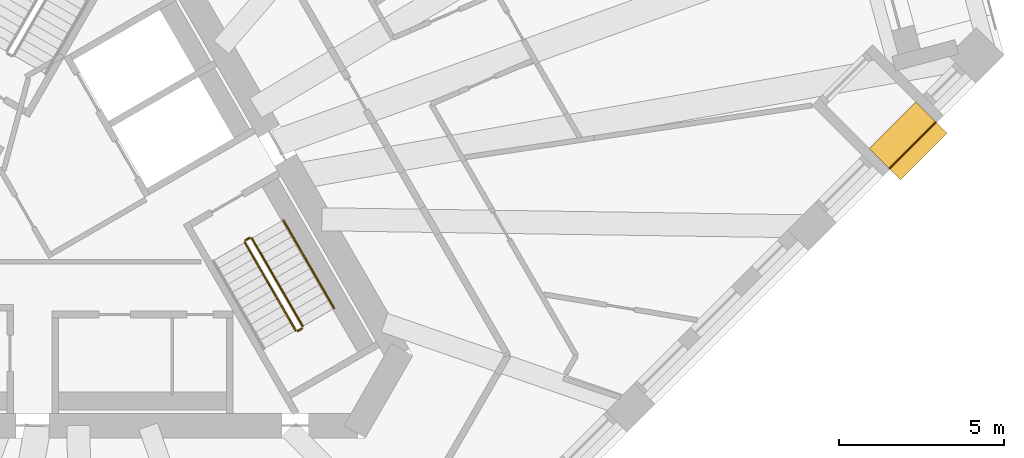
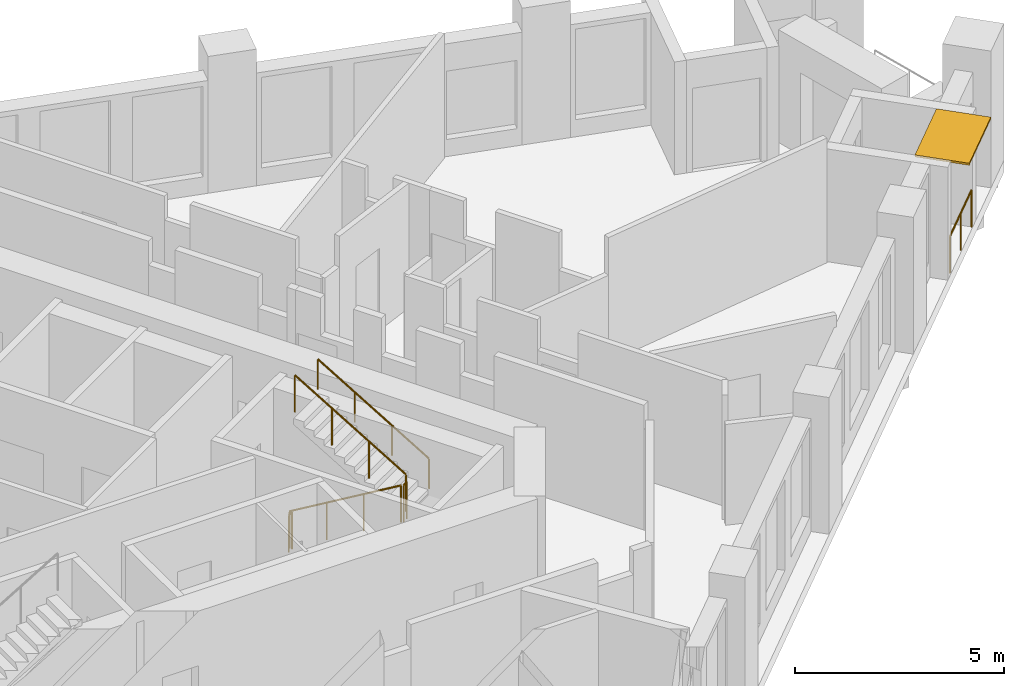
# One storey, part 11 of 13: 6 railings, 1 shading device.
"""IFC4 building model written with IfcOpenShell, lengths in metres."""

import ifcopenshell
import ifcopenshell.guid

model = None  # the IFC model being written
_history = None  # IfcOwnerHistory: only IFC2X3 demands one
_inside = {}  # id of a spatial element -> (the spatial element, [elements in it])
_under = {}  # id of a project, library or spatial element -> (it, [spatial elements below it])
_declared = {}  # id of a project -> (the project, [libraries it declares])
_typed = {}  # id of a type object -> (the type object, [elements of that type])
_made_of = {}  # id of a material, layer set ... -> (it, [elements and type objects made of it])


def new_model(schema):
    """Start an empty IFC model of exactly this schema.

    Asked for "IFC4X3", IfcOpenShell would pick the latest addendum, in which some entities
    have other attributes; the version numbers below select the first issue.
    IFC2X3 requires an IfcOwnerHistory on every rooted entity: one is made here for all.
    """
    global model, _history
    if schema == "IFC4X3":
        model = ifcopenshell.file(schema_version=(4, 3, 0, 0))
    else:
        model = ifcopenshell.file(schema=schema)
    _inside.clear()
    _under.clear()
    _declared.clear()
    _typed.clear()
    _made_of.clear()
    _history = None
    if model.schema == "IFC2X3":
        org = make("IfcOrganization", Name="unknown")
        user = make(
            "IfcPersonAndOrganization",
            ThePerson=make("IfcPerson", FamilyName="unknown"),
            TheOrganization=org,
        )
        app = make(
            "IfcApplication",
            ApplicationDeveloper=org,
            Version="unknown",
            ApplicationFullName="unknown",
            ApplicationIdentifier="unknown",
        )
        _history = make(
            "IfcOwnerHistory",
            OwningUser=user,
            OwningApplication=app,
            ChangeAction="ADDED",
            CreationDate=0,
        )
    return model


def make(cls, **values):
    """One entity of the class cls with the attributes given. An attribute that is None is left unset."""
    return model.create_entity(
        cls, **{name: value for name, value in values.items() if value is not None}
    )


def rooted(cls, **values):
    """An entity with a GlobalId (a new one), such as an element, a storey or a relation."""
    return make(cls, GlobalId=ifcopenshell.guid.new(), OwnerHistory=_history, **values)


def si_unit(unit_type, name, prefix=None):
    """IfcSIUnit, for example si_unit("LENGTHUNIT", "METRE", prefix="MILLI")."""
    return make("IfcSIUnit", UnitType=unit_type, Prefix=prefix, Name=name)


def assignment(units):
    """IfcUnitAssignment: the units of a project."""
    return None if units is None else make("IfcUnitAssignment", Units=units)


def point(xyz):
    """IfcCartesianPoint."""
    return None if xyz is None else make("IfcCartesianPoint", Coordinates=xyz)


def direction(xyz):
    """IfcDirection."""
    return None if xyz is None else make("IfcDirection", DirectionRatios=xyz)


def frame(location, z_axis=None, x_axis=None):
    """IfcAxis2Placement3D, a coordinate frame: its origin and axes. An axis left out is left unset."""
    return make(
        "IfcAxis2Placement3D",
        Location=point(location),
        Axis=direction(z_axis),
        RefDirection=direction(x_axis),
    )


def frame_2d(location, x_axis=None):
    """IfcAxis2Placement2D, a coordinate frame in the plane: its origin and x axis."""
    return make(
        "IfcAxis2Placement2D", Location=point(location), RefDirection=direction(x_axis)
    )


def origin():
    """The frame at (0, 0, 0) with its axes left unset."""
    return frame((0.0, 0.0, 0.0))


def origin_2d():
    """The frame at (0, 0) in the plane with its x axis left unset."""
    return frame_2d((0.0, 0.0))


def place(relative_to, where):
    """IfcLocalPlacement: puts the frame where relative to a parent placement (None: the world)."""
    return make(
        "IfcLocalPlacement", PlacementRelTo=relative_to, RelativePlacement=where
    )


def context(
    kind, dimensions, precision=None, world=None, true_north=None, identifier=None
):
    """IfcGeometricRepresentationContext, for example the 3D "Model" context."""
    return make(
        "IfcGeometricRepresentationContext",
        ContextIdentifier=identifier,
        ContextType=kind,
        CoordinateSpaceDimension=dimensions,
        Precision=precision,
        WorldCoordinateSystem=world,
        TrueNorth=true_north,
    )


def subcontext(parent, identifier, kind, view, scale=None):
    """IfcGeometricRepresentationSubContext, for example "Body" below "Model"."""
    return make(
        "IfcGeometricRepresentationSubContext",
        ContextIdentifier=identifier,
        ContextType=kind,
        ParentContext=parent,
        TargetScale=scale,
        TargetView=view,
    )


def project(units=None, contexts=None):
    """IfcProject with its units and contexts."""
    return rooted(
        "IfcProject",
        Name="project",
        RepresentationContexts=contexts,
        UnitsInContext=assignment(units),
    )


def spatial(cls, under=None, at=None, **own):
    """A site, building, storey or space (cls), placed at a placement, below another one or the project."""
    s = rooted(cls, ObjectPlacement=at, **own)
    if under is not None:
        _under.setdefault(under.id(), (under, []))[1].append(s)
    return s


def profile(cls, at=None, kind="AREA", **sizes):
    """A parametric profile (cls). Its sizes go by their IFC names, for example OverallWidth=200.0."""
    return make(cls, ProfileType=kind, Position=at, **sizes)


def rectangle(**sizes):
    """IfcRectangleProfileDef."""
    return profile("IfcRectangleProfileDef", **sizes)


def circle(**sizes):
    """IfcCircleProfileDef."""
    return profile("IfcCircleProfileDef", **sizes)


def extrude(swept, where, along, depth):
    """IfcExtrudedAreaSolid: the profile swept, set in the frame where, extruded along a direction by depth."""
    return make(
        "IfcExtrudedAreaSolid",
        SweptArea=swept,
        Position=where,
        ExtrudedDirection=direction(along),
        Depth=depth,
    )


def shape(context_of_items, identifier, shape_type, items):
    """IfcShapeRepresentation: the items that make up one representation, for example the "Body"."""
    return make(
        "IfcShapeRepresentation",
        ContextOfItems=context_of_items,
        RepresentationIdentifier=identifier,
        RepresentationType=shape_type,
        Items=items,
    )


def material(Name=None, Category=None):
    """IfcMaterial."""
    return make("IfcMaterial", Name=Name, Category=Category)


def layer(
    of_material, thickness, ventilated=None, Name=None, Category=None, Priority=None
):
    """IfcMaterialLayer: one layer of a wall or slab, of a material (None: an air gap)."""
    return make(
        "IfcMaterialLayer",
        Material=of_material,
        LayerThickness=thickness,
        IsVentilated=ventilated,
        Name=Name,
        Category=Category,
        Priority=Priority,
    )


def layer_set(layers, Name=None):
    """IfcMaterialLayerSet."""
    return make("IfcMaterialLayerSet", MaterialLayers=layers, LayerSetName=Name)


def made_of(thing, what):
    """Note that an element or type object is made of a material, layer set ...; save() writes the relation."""
    if what is not None:
        _made_of.setdefault(what.id(), (what, []))[1].append(thing)
    return thing


def type_object(cls, material=None, **own):
    """A type object (cls), such as IfcWallType, which elements share."""
    return made_of(rooted(cls, **own), material)


def element(
    cls,
    number,
    at=None,
    inside=None,
    cuts=None,
    type_object=None,
    material=None,
    context=None,
    identifier="Body",
    shape_type=None,
    held_by="IfcProductDefinitionShape",
    body=None,
    shapes=None,
    **own,
):
    """One element of the class cls, such as IfcWall. Its Tag is "e" and its number.

    at: its placement. inside: the storey or other place that contains it. cuts: it is an
    opening in that element (IfcRelVoidsElement). A single representation is given by context,
    identifier, shape_type and body (its items); several are given by shapes. held_by: the class
    of the entity that holds the representations. save() writes the other relations.
    """
    e = rooted(cls, Tag="e%d" % number, ObjectPlacement=at, **own)
    if body is not None:
        shapes = [shape(context, identifier, shape_type, body)]
    if shapes is not None:
        e.Representation = make(held_by, Representations=shapes)
    if inside is not None:
        _inside.setdefault(inside.id(), (inside, []))[1].append(e)
    if cuts is not None:
        rooted(
            "IfcRelVoidsElement", RelatingBuildingElement=cuts, RelatedOpeningElement=e
        )
    if type_object is not None:
        _typed.setdefault(type_object.id(), (type_object, []))[1].append(e)
    return made_of(e, material)


def aggregate(whole, parts):
    """IfcRelAggregates: a whole, such as a stair, and the parts it consists of."""
    return rooted("IfcRelAggregates", RelatingObject=whole, RelatedObjects=parts)


def save(model, path):
    """Write the relations noted so far, then the file.

    IfcRelAggregates (storeys below a building ...), IfcRelContainedInSpatialStructure (elements
    in a storey), IfcRelDefinesByType, IfcRelAssociatesMaterial and IfcRelDeclares: one each for
    every whole, place, type object, material and project.
    """
    for whole, parts in _under.values():
        aggregate(whole, parts)
    for where, things in _inside.values():
        rooted(
            "IfcRelContainedInSpatialStructure",
            RelatedElements=things,
            RelatingStructure=where,
        )
    for kind, things in _typed.values():
        rooted("IfcRelDefinesByType", RelatedObjects=things, RelatingType=kind)
    for what, things in _made_of.values():
        rooted("IfcRelAssociatesMaterial", RelatedObjects=things, RelatingMaterial=what)
    for by, libraries in _declared.values():
        rooted("IfcRelDeclares", RelatingContext=by, RelatedDefinitions=libraries)
    model.write(path)


model = new_model("IFC4")

# Units and contexts
model_context = context("Model", 3, precision=1e-05, world=origin(), true_north=direction((0.0, 1.0)))
body_context = subcontext(model_context, "Body", "Model", "MODEL_VIEW")
ifc_project = project(units=[si_unit("LENGTHUNIT", "METRE"), si_unit("AREAUNIT", "SQUARE_METRE"), si_unit("VOLUMEUNIT", "CUBIC_METRE"), si_unit("PLANEANGLEUNIT", "RADIAN"), si_unit("MASSUNIT", "GRAM", prefix="KILO")], contexts=[model_context])

# Site, building, storey
site_placement = place(None, origin())
site = spatial("IfcSite", under=ifc_project, at=site_placement, CompositionType="ELEMENT")
building_placement = place(site_placement, origin())
building = spatial("IfcBuilding", under=site, at=building_placement, Name="Tramontana Tower", CompositionType="ELEMENT")
storey_placement = place(building_placement, frame((0.0, 0.0, 216.0)))
storey = spatial("IfcBuildingStorey", under=building, at=storey_placement, Name="L50", CompositionType="ELEMENT", Elevation=216.0)

# Railing
ifc_material_1 = material(Name="Laminated glass balustrade", Category="glass")
railing_type_1 = type_object("IfcRailingType", Name="GD1 Loggia glass balustrade 1100", PredefinedType="BALUSTRADE", material=ifc_material_1)
railing_1_placement = place(storey_placement, frame((24.718017578125, 1.426025390625, 0.0)))
element("IfcRailing", 1, at=railing_1_placement, inside=storey, type_object=railing_type_1, Name="Loggia balustrade L50 G5S1.16", PredefinedType="BALUSTRADE", context=body_context, shape_type="SweptSolid", body=[
    extrude(circle(Radius=0.02392578125, at=origin_2d()), frame((0.0, 0.0, 1.076171875), z_axis=(0.707106781187, 0.707106781187, 0.0), x_axis=(-0.707106781187, 0.707106781187, 0.0)), (0.0, 0.0, 1.0), 1.998046875),
    extrude(circle(Radius=0.02099609375, at=origin_2d()), origin(), (0.0, 0.0, 1.0), 1.052001953125),
    extrude(circle(Radius=0.02099609375, at=origin_2d()), frame((0.70654296875, 0.70654296875, 0.0)), (0.0, 0.0, 1.0), 1.052001953125),
    extrude(circle(Radius=0.02099609375, at=origin_2d()), frame((1.412841796875, 1.412841796875, 0.0)), (0.0, 0.0, 1.0), 1.052001953125),
])

# Shading device
ifc_material_2 = material(Name="Precast concrete 60 MPa", Category="concrete")
ifc_layer = layer(ifc_material_2, 0.06005859375)
ifc_layer_set = layer_set([ifc_layer], Name="SS1 Stone sunshade blade 60")
shading_device_type = type_object("IfcShadingDeviceType", Name="SS1 Stone sunshade blade 60", PredefinedType="USERDEFINED", material=ifc_layer_set)
shading_device_placement = place(storey_placement, frame((25.28662109375, 2.270263671875, 3.239990234375), z_axis=(0.0, 0.0, 1.0), x_axis=(0.707106781187, 0.707106781187, 0.0)))
element("IfcShadingDevice", 2, at=shading_device_placement, inside=storey, type_object=shading_device_type, Name="Sunshade L50 G5S1.16", ObjectType="SUNSHADE", PredefinedType="USERDEFINED", context=body_context, shape_type="SweptSolid", body=[
    extrude(rectangle(XDim=1.998046875, YDim=1.35009765625, at=origin_2d()), origin(), (0.0, 0.0, 1.0), 0.06005859375),
])

# Railings
ifc_material_3 = material(Name="Painted steel", Category="steel")
railing_type_2 = type_object("IfcRailingType", Name="STAIR GUARD 1100", PredefinedType="GUARDRAIL", material=ifc_material_3)
railing_2_placement = place(storey_placement, frame((5.1474609375, -0.815673828125, 0.166748046875)))
element("IfcRailing", 3, at=railing_2_placement, inside=storey, type_object=railing_type_2, Name="L50 ST3 stair guard 1", PredefinedType="GUARDRAIL", context=body_context, shape_type="SweptSolid", body=[
    extrude(circle(Radius=0.02392578125, at=origin_2d()), frame((0.0, 0.0, 1.076171875), z_axis=(0.429671193721, -0.744159446956, 0.511477646425), x_axis=(0.866010015463, 0.500026652407, 0.0)), (0.0, 0.0, 1.0), 3.584228515625),
    extrude(circle(Radius=0.02099609375, at=origin_2d()), origin(), (0.0, 0.0, 1.0), 1.052001953125),
    extrude(circle(Radius=0.02099609375, at=origin_2d()), frame((0.513427734375, -0.88916015625, 0.611083984375)), (0.0, 0.0, 1.0), 1.052001953125),
    extrude(circle(Radius=0.02099609375, at=origin_2d()), frame((1.026611328125, -1.778076171875, 1.22216796875)), (0.0, 0.0, 1.0), 1.052001953125),
    extrude(circle(Radius=0.02099609375, at=origin_2d()), frame((1.5400390625, -2.667236328125, 1.833251953125)), (0.0, 0.0, 1.0), 1.052001953125),
])
railing_3_placement = place(storey_placement, frame((6.90380859375, -3.35791015625, 2.166748046875)))
element("IfcRailing", 4, at=railing_3_placement, inside=storey, type_object=railing_type_2, Name="L50 ST3 stair guard 2", PredefinedType="GUARDRAIL", context=body_context, shape_type="SweptSolid", body=[
    extrude(circle(Radius=0.02392578125, at=origin_2d()), frame((0.0, 0.0, 1.076171875), z_axis=(-0.429615651263, 0.74418122563, 0.511492615401), x_axis=(-0.866044340336, -0.499967199496, 0.0)), (0.0, 0.0, 1.0), 3.584228515625),
    extrude(circle(Radius=0.02099609375, at=origin_2d()), origin(), (0.0, 0.0, 1.0), 1.052001953125),
    extrude(circle(Radius=0.02099609375, at=origin_2d()), frame((-0.51318359375, 0.88916015625, 0.611083984375)), (0.0, 0.0, 1.0), 1.052001953125),
    extrude(circle(Radius=0.02099609375, at=origin_2d()), frame((-1.026611328125, 1.778076171875, 1.22216796875)), (0.0, 0.0, 1.0), 1.052001953125),
    extrude(circle(Radius=0.02099609375, at=origin_2d()), frame((-1.539794921875, 2.667236328125, 1.833251953125)), (0.0, 0.0, 1.0), 1.052001953125),
])
for number, where, name in (
    (5, (6.755615234375, -3.501220703125, 2.0), "L50 ST3 stair guard 3"),
    (6, (5.165771484375, -0.747314453125, 0.0), "L50 ST3 stair guard 4"),
):
    element("IfcRailing", number, at=place(storey_placement, frame(where)), inside=storey, type_object=railing_type_2, Name=name, PredefinedType="GUARDRAIL", context=body_context, shape_type="SweptSolid", body=[
        extrude(circle(Radius=0.02392578125, at=origin_2d()), frame((0.0, 0.0, 1.076171875), z_axis=(0.866131372301, 0.499816412211, 0.0), x_axis=(-0.499816412211, 0.866131372301, 0.0)), (0.0, 0.0, 1.0), 0.14990234375),
        extrude(circle(Radius=0.02099609375, at=origin_2d()), origin(), (0.0, 0.0, 1.0), 1.052001953125),
        extrude(circle(Radius=0.02099609375, at=origin_2d()), frame((0.1298828125, 0.074951171875, 0.0)), (0.0, 0.0, 1.0), 1.052001953125),
    ])
ifc_material_4 = material(Name="Painted steel", Category="steel")
railing_type_3 = type_object("IfcRailingType", Name="STAIR HANDRAIL 900", PredefinedType="HANDRAIL", material=ifc_material_4)
railing_4_placement = place(storey_placement, frame((7.8564453125, -2.807861328125, 2.166748046875)))
element("IfcRailing", 7, at=railing_4_placement, inside=storey, type_object=railing_type_3, Name="L50 ST3 stair handrail 2", PredefinedType="HANDRAIL", context=body_context, shape_type="SweptSolid", body=[
    extrude(circle(Radius=0.02392578125, at=origin_2d()), frame((0.0, 0.0, 0.8759765625), z_axis=(-0.429615651263, 0.74418122563, 0.511492615401), x_axis=(-0.866044340336, -0.499967199496, 0.0)), (0.0, 0.0, 1.0), 3.584228515625),
    extrude(circle(Radius=0.02099609375, at=origin_2d()), origin(), (0.0, 0.0, 1.0), 0.851806640625),
    extrude(circle(Radius=0.02099609375, at=origin_2d()), frame((-0.51318359375, 0.88916015625, 0.611083984375)), (0.0, 0.0, 1.0), 0.851806640625),
    extrude(circle(Radius=0.02099609375, at=origin_2d()), frame((-1.026611328125, 1.778076171875, 1.22216796875)), (0.0, 0.0, 1.0), 0.851806640625),
    extrude(circle(Radius=0.02099609375, at=origin_2d()), frame((-1.539794921875, 2.667236328125, 1.833251953125)), (0.0, 0.0, 1.0), 0.851806640625),
])

save(model, "model.ifc")
